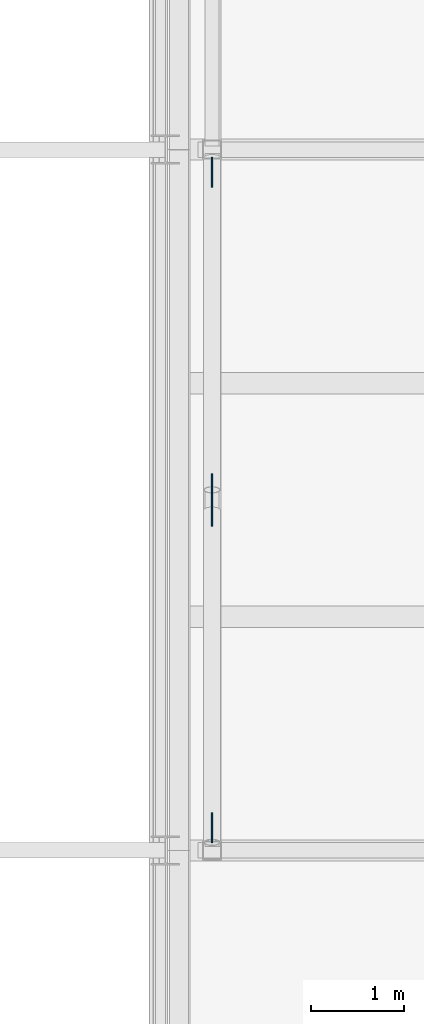
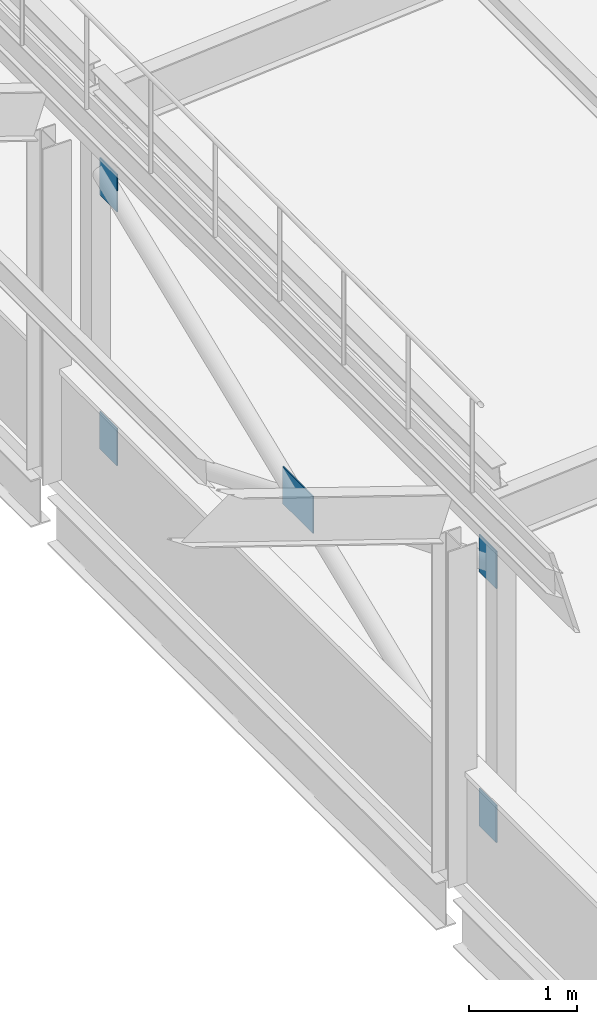
# One storey, part 441 of 483: 5 discrete accessories.
"""IFC4 building model written with IfcOpenShell, lengths in metres."""

from ifc_helpers import new_model, si_unit, direction, frame, origin, place, context, subcontext, project, spatial, polyline, outline, extrude, material, layer, layer_set, type_object, element, save


model = new_model("IFC4")

# Units and contexts
model_context = context("Model", 3, precision=1e-05, world=origin(), true_north=direction((0.0, 1.0)))
body_context = subcontext(model_context, "Body", "Model", "MODEL_VIEW")
ifc_project = project(units=[si_unit("LENGTHUNIT", "METRE"), si_unit("AREAUNIT", "SQUARE_METRE"), si_unit("VOLUMEUNIT", "CUBIC_METRE"), si_unit("PLANEANGLEUNIT", "RADIAN"), si_unit("MASSUNIT", "GRAM", prefix="KILO")], contexts=[model_context])

# Site, building, storey
site_placement = place(None, origin())
site = spatial("IfcSite", under=ifc_project, at=site_placement, CompositionType="ELEMENT")
building_placement = place(site_placement, origin())
building = spatial("IfcBuilding", under=site, at=building_placement, Name="Parallax Yard Mobility Hub", CompositionType="ELEMENT")
storey_placement = place(building_placement, frame((0.0, 0.0, 13.199951171875)))
storey = spatial("IfcBuildingStorey", under=building, at=storey_placement, Name="L04", CompositionType="ELEMENT", Elevation=13.199951171875)

# Discrete accessories
ifc_material = material(Name="Steel ASTM A36", Category="steel")
ifc_layer = layer(ifc_material, 0.011962890625)
ifc_layer_set = layer_set([ifc_layer], Name="Gusset plate PL12")
discrete_accessory_type = type_object("IfcDiscreteAccessoryType", Name="Gusset plate PL12", PredefinedType="BRACKET", material=ifc_layer_set)
discrete_accessory_1_placement = place(storey_placement, frame((0.0, 0.0, 0.150146484375)))
element("IfcDiscreteAccessory", 1, at=discrete_accessory_1_placement, inside=storey, type_object=discrete_accessory_type, Name="Gusset plate PL12 RA bay E-A bay 1 foot on post E-A2", PredefinedType="BRACKET", context=body_context, shape_type="SweptSolid", body=[
    extrude(outline(polyline([(195.493896484375, 44.91845703125), (195.493896484375, 44.598388671875), (195.506103515625, 44.598388671875), (195.506103515625, 44.91845703125), (195.493896484375, 44.91845703125)])), origin(), (0.0, 0.0, 1.0), 0.42236328125),
])
for number, where, name in (
    (2, (0.0, 0.0, 3.017578125), "Gusset plate PL12 RA bay E-A bay 1 head on post E-A1"),
    (3, (0.0, 0.0, 0.150146484375), "Gusset plate PL12 RA bay E-A bay 1 foot on post E-A1"),
):
    element("IfcDiscreteAccessory", number, at=place(storey_placement, frame(where)), inside=storey, type_object=discrete_accessory_type, Name=name, PredefinedType="BRACKET", context=body_context, shape_type="SweptSolid", body=[
        extrude(outline(polyline([(195.506103515625, 37.58154296875), (195.506103515625, 37.901611328125), (195.493896484375, 37.901611328125), (195.493896484375, 37.58154296875), (195.506103515625, 37.58154296875)])), origin(), (0.0, 0.0, 1.0), 0.42236328125),
    ])
discrete_accessory_2_placement = place(storey_placement, frame((0.0, 0.0, 3.017578125)))
element("IfcDiscreteAccessory", 4, at=discrete_accessory_2_placement, inside=storey, type_object=discrete_accessory_type, Name="Gusset plate PL12 RA bay E-A bay 1 head on post E-A2", PredefinedType="BRACKET", context=body_context, shape_type="SweptSolid", body=[
    extrude(outline(polyline([(195.493896484375, 44.91845703125), (195.493896484375, 44.598388671875), (195.506103515625, 44.598388671875), (195.506103515625, 44.91845703125), (195.493896484375, 44.91845703125)])), origin(), (0.0, 0.0, 1.0), 0.42236328125),
])
discrete_accessory_3_placement = place(storey_placement, frame((0.0, 0.0, 1.5849609375)))
element("IfcDiscreteAccessory", 5, at=discrete_accessory_3_placement, inside=storey, type_object=discrete_accessory_type, Name="Gusset plate PL12 RA bay E-A bay 1 crossing node", PredefinedType="BRACKET", context=body_context, shape_type="SweptSolid", body=[
    extrude(outline(polyline([(195.506103515625, 40.969970703125), (195.506103515625, 41.530029296875), (195.493896484375, 41.530029296875), (195.493896484375, 40.969970703125), (195.506103515625, 40.969970703125)])), origin(), (0.0, 0.0, 1.0), 0.420166015625),
])

save(model, "model.ifc")
